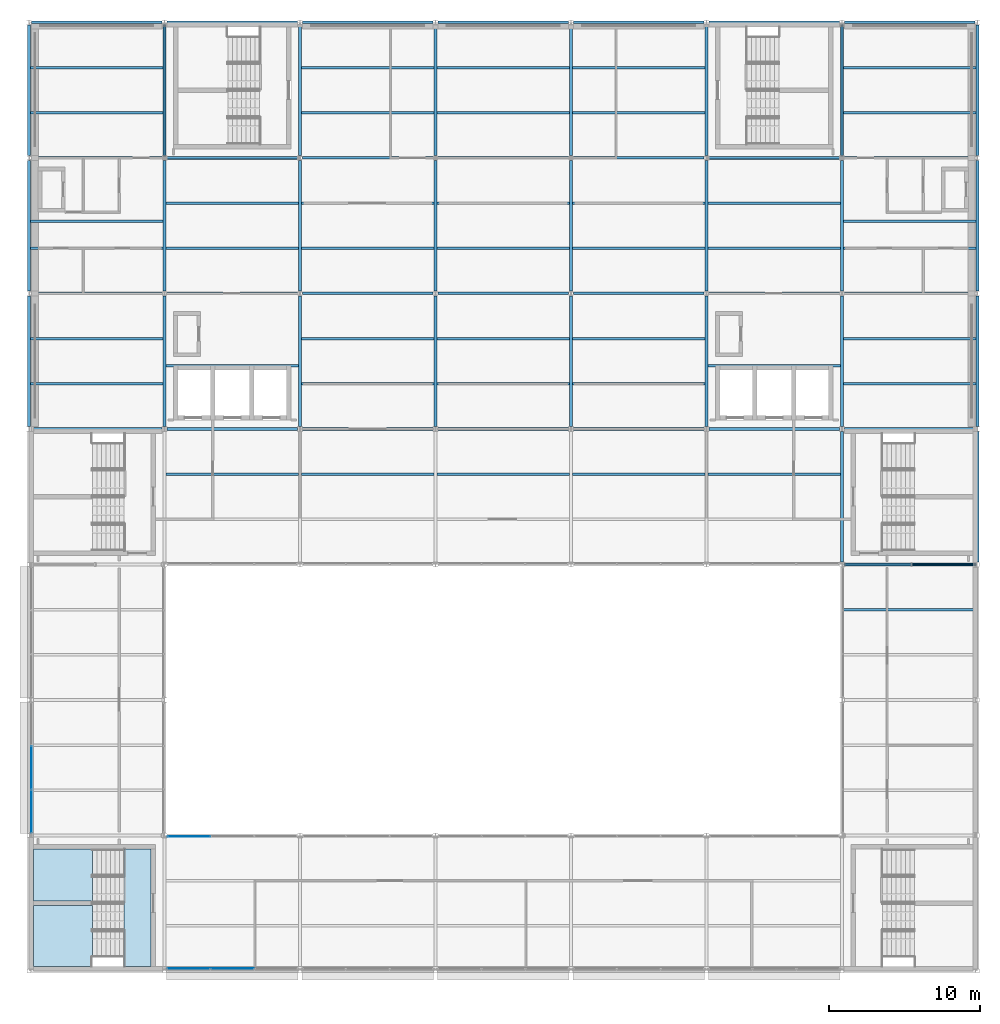
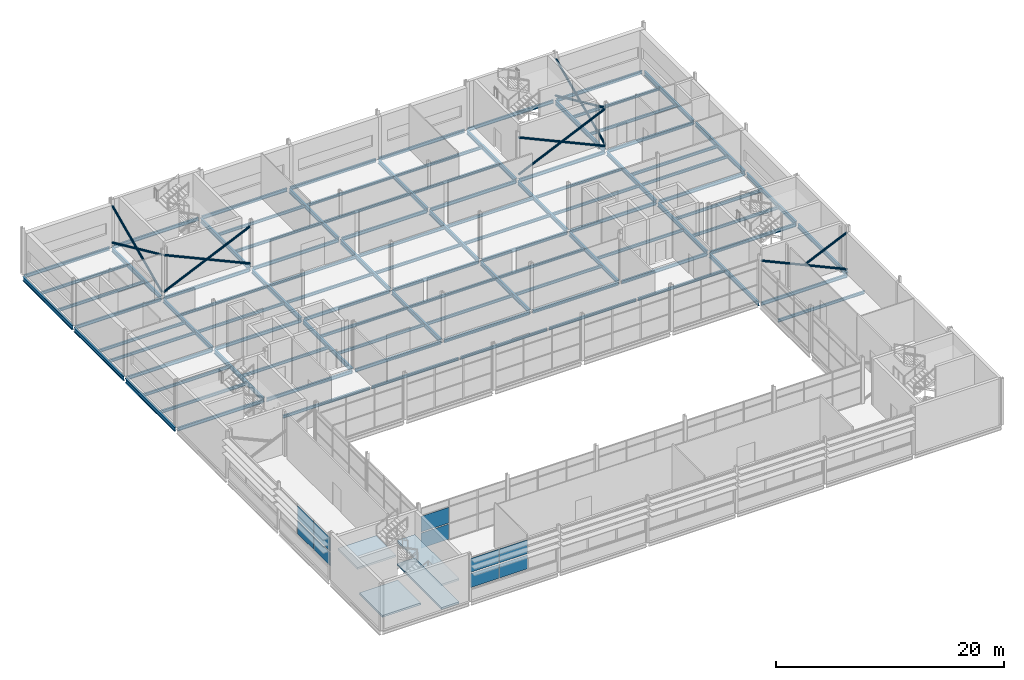
# One storey, part 44 of 61: 97 beams, 10 members, 10 plates, 4 slabs, 4 elements without a shape of their own.
"""IFC4 building model written with IfcOpenShell, lengths in metres."""

from ifc_helpers import new_model, si_unit, direction, frame, origin, origin_2d, place, context, subcontext, project, spatial, polyline, rectangle, hollow_circle, i_section, outline, extrude, material, layer, layer_set, material_profile, profile_set, type_object, element, aggregate, save


model = new_model("IFC4")

# Units and contexts
model_context = context("Model", 3, precision=1e-05, world=origin(), true_north=direction((0.0, 1.0)))
body_context = subcontext(model_context, "Body", "Model", "MODEL_VIEW")
ifc_project = project(units=[si_unit("LENGTHUNIT", "METRE"), si_unit("AREAUNIT", "SQUARE_METRE"), si_unit("VOLUMEUNIT", "CUBIC_METRE"), si_unit("PLANEANGLEUNIT", "RADIAN"), si_unit("MASSUNIT", "GRAM", prefix="KILO")], contexts=[model_context])

# Site, building, storey
site_placement = place(None, origin())
site = spatial("IfcSite", under=ifc_project, at=site_placement, CompositionType="ELEMENT")
building_placement = place(site_placement, origin())
building = spatial("IfcBuilding", under=site, at=building_placement, Name="Shorebreak Coast Museum", CompositionType="ELEMENT")
storey_placement = place(building_placement, frame((0.0, 0.0, 26.0)))
storey = spatial("IfcBuildingStorey", under=building, at=storey_placement, Name="L04", CompositionType="ELEMENT", Elevation=26.0)

# Beams
ifc_material_1 = material(Name="Steel Grade 300", Category="steel")
ifc_material_profile_1 = material_profile(ifc_material_1, i_section(OverallWidth=0.1708984375, OverallDepth=0.35205078125, WebThickness=0.0068359375, FlangeThickness=0.009765625, FilletRadius=0.011474609375, at=origin_2d()), Name="360UB44.7")
ifc_profile_set_1 = profile_set([ifc_material_profile_1], Name="Steel Grade 300")
beam_type_1 = type_object("IfcBeamType", Name="Floor girder east-west 360UB44.7", PredefinedType="BEAM", material=ifc_profile_set_1)
beam_1_placement = place(storey_placement, frame((108.154541015625, 81.0, -0.35107421875), z_axis=(1.0, 0.0, 0.0), x_axis=(0.0, 1.0, 0.0)))
element("IfcBeam", 1, at=beam_1_placement, inside=storey, type_object=beam_type_1, Name="Floor girder east-west L04 13K", PredefinedType="BEAM", context=body_context, shape_type="SweptSolid", body=[
    extrude(i_section(OverallWidth=0.1708984375, OverallDepth=0.35205078125, WebThickness=0.0068359375, FlangeThickness=0.009765625, FilletRadius=0.011474609375, at=origin_2d()), origin(), (0.0, 0.0, 1.0), 8.69287109375),
])
for number, where, z_axis, x_axis, name in (
    (2, (54.155517578125, 90.0, -0.35107421875), (1.0, 0.0, 0.0), (0.0, 1.0, 0.0), "Floor girder east-west L04 7L"),
    (3, (63.155517578125, 90.0, -0.35107421875), (1.0, 0.0, 0.0), (0.0, 1.0, 0.0), "Floor girder east-west L04 8L"),
    (4, (72.155517578125, 90.0, -0.35107421875), (1.0, 0.0, 0.0), (0.0, 1.0, 0.0), "Floor girder east-west L04 9L"),
    (5, (81.155517578125, 90.0, -0.35107421875), (1.0, 0.0, 0.0), (0.0, 1.0, 0.0), "Floor girder east-west L04 10L"),
    (6, (90.155517578125, 90.0, -0.35107421875), (1.0, 0.0, 0.0), (0.0, 1.0, 0.0), "Floor girder east-west L04 11L"),
    (7, (99.155517578125, 90.0, -0.35107421875), (1.0, 0.0, 0.0), (0.0, 1.0, 0.0), "Floor girder east-west L04 12L"),
    (8, (108.155517578125, 90.0, -0.35107421875), (1.0, 0.0, 0.0), (0.0, 1.0, 0.0), "Floor girder east-west L04 13L"),
):
    element("IfcBeam", number, at=place(storey_placement, frame(where, z_axis=z_axis, x_axis=x_axis)), inside=storey, type_object=beam_type_1, Name=name, PredefinedType="BEAM", context=body_context, shape_type="SweptSolid", body=[
        extrude(i_section(OverallWidth=0.1708984375, OverallDepth=0.35205078125, WebThickness=0.0068359375, FlangeThickness=0.009765625, FilletRadius=0.011474609375, at=origin_2d()), origin(), (0.0, 0.0, 1.0), 8.68896484375),
    ])
for number, where, z_axis, x_axis, name in (
    (9, (54.152587890625, 99.0, -0.35107421875), (1.0, 0.0, 0.0), (0.0, 1.0, 0.0), "Floor girder east-west L04 7M"),
    (10, (63.152587890625, 99.0, -0.35107421875), (1.0, 0.0, 0.0), (0.0, 1.0, 0.0), "Floor girder east-west L04 8M"),
    (11, (72.152587890625, 99.0, -0.35107421875), (1.0, 0.0, 0.0), (0.0, 1.0, 0.0), "Floor girder east-west L04 9M"),
    (12, (81.152587890625, 99.0, -0.35107421875), (1.0, 0.0, 0.0), (0.0, 1.0, 0.0), "Floor girder east-west L04 10M"),
    (13, (90.152587890625, 99.0, -0.35107421875), (1.0, 0.0, 0.0), (0.0, 1.0, 0.0), "Floor girder east-west L04 11M"),
    (14, (99.152587890625, 99.0, -0.35107421875), (1.0, 0.0, 0.0), (0.0, 1.0, 0.0), "Floor girder east-west L04 12M"),
    (15, (108.152587890625, 99.0, -0.35107421875), (1.0, 0.0, 0.0), (0.0, 1.0, 0.0), "Floor girder east-west L04 13M"),
    (16, (54.152587890625, 108.0, -0.35107421875), (1.0, 0.0, 0.0), (0.0, 1.0, 0.0), "Floor girder east-west L04 7N"),
    (17, (63.152587890625, 108.0, -0.35107421875), (1.0, 0.0, 0.0), (0.0, 1.0, 0.0), "Floor girder east-west L04 8N"),
    (18, (72.152587890625, 108.0, -0.35107421875), (1.0, 0.0, 0.0), (0.0, 1.0, 0.0), "Floor girder east-west L04 9N"),
    (19, (81.152587890625, 108.0, -0.35107421875), (1.0, 0.0, 0.0), (0.0, 1.0, 0.0), "Floor girder east-west L04 10N"),
    (20, (90.152587890625, 108.0, -0.35107421875), (1.0, 0.0, 0.0), (0.0, 1.0, 0.0), "Floor girder east-west L04 11N"),
    (21, (99.152587890625, 108.0, -0.35107421875), (1.0, 0.0, 0.0), (0.0, 1.0, 0.0), "Floor girder east-west L04 12N"),
    (22, (108.152587890625, 108.0, -0.35107421875), (1.0, 0.0, 0.0), (0.0, 1.0, 0.0), "Floor girder east-west L04 13N"),
):
    element("IfcBeam", number, at=place(storey_placement, frame(where, z_axis=z_axis, x_axis=x_axis)), inside=storey, type_object=beam_type_1, Name=name, PredefinedType="BEAM", context=body_context, shape_type="SweptSolid", body=[
        extrude(i_section(OverallWidth=0.1708984375, OverallDepth=0.35205078125, WebThickness=0.0068359375, FlangeThickness=0.009765625, FilletRadius=0.011474609375, at=origin_2d()), origin(), (0.0, 0.0, 1.0), 8.69482421875),
    ])
for number, where, z_axis, x_axis, name in (
    (23, (54.155517578125, 117.0, -0.35107421875), (1.0, 0.0, 0.0), (0.0, 1.0, 0.0), "Floor girder east-west L04 7P"),
    (24, (63.155517578125, 117.0, -0.35107421875), (1.0, 0.0, 0.0), (0.0, 1.0, 0.0), "Floor girder east-west L04 8P"),
    (25, (72.155517578125, 117.0, -0.35107421875), (1.0, 0.0, 0.0), (0.0, 1.0, 0.0), "Floor girder east-west L04 9P"),
    (26, (81.155517578125, 117.0, -0.35107421875), (1.0, 0.0, 0.0), (0.0, 1.0, 0.0), "Floor girder east-west L04 10P"),
    (27, (90.155517578125, 117.0, -0.35107421875), (1.0, 0.0, 0.0), (0.0, 1.0, 0.0), "Floor girder east-west L04 11P"),
    (28, (99.155517578125, 117.0, -0.35107421875), (1.0, 0.0, 0.0), (0.0, 1.0, 0.0), "Floor girder east-west L04 12P"),
    (29, (108.155517578125, 117.0, -0.35107421875), (1.0, 0.0, 0.0), (0.0, 1.0, 0.0), "Floor girder east-west L04 13P"),
):
    element("IfcBeam", number, at=place(storey_placement, frame(where, z_axis=z_axis, x_axis=x_axis)), inside=storey, type_object=beam_type_1, Name=name, PredefinedType="BEAM", context=body_context, shape_type="SweptSolid", body=[
        extrude(i_section(OverallWidth=0.1708984375, OverallDepth=0.35205078125, WebThickness=0.0068359375, FlangeThickness=0.009765625, FilletRadius=0.011474609375, at=origin_2d()), origin(), (0.0, 0.0, 1.0), 8.68896484375),
    ])
ifc_material_2 = material(Name="Steel Grade 300", Category="steel")
ifc_material_profile_2 = material_profile(ifc_material_2, i_section(OverallWidth=0.18994140625, OverallDepth=0.453857421875, WebThickness=0.008544921875, FlangeThickness=0.0126953125, FilletRadius=0.011474609375, at=origin_2d()), Name="460UB67.1")
ifc_profile_set_2 = profile_set([ifc_material_profile_2], Name="Steel Grade 300")
beam_type_2 = type_object("IfcBeamType", Name="Floor girder north-south 460UB67.1", PredefinedType="BEAM", material=ifc_profile_set_2)
beam_2_placement = place(storey_placement, frame((108.0, 81.160400390625, -0.40185546875), z_axis=(0.0, 1.0, 0.0), x_axis=(-1.0, 0.0, 0.0)))
element("IfcBeam", 30, at=beam_2_placement, inside=storey, type_object=beam_type_2, Name="Floor girder north-south L04 13K", PredefinedType="BEAM", context=body_context, shape_type="SweptSolid", body=[
    extrude(i_section(OverallWidth=0.18994140625, OverallDepth=0.453857421875, WebThickness=0.008544921875, FlangeThickness=0.0126953125, FilletRadius=0.011474609375, at=origin_2d()), origin(), (0.0, 0.0, 1.0), 8.676025390625),
])
for number, where, z_axis, x_axis, name in (
    (31, (117.0, 81.154052734375, -0.40185546875), (0.0, 1.0, 0.0), (-1.0, 0.0, 0.0), "Floor girder north-south L04 14K"),
    (32, (54.0, 90.16357421875, -0.40185546875), (0.0, 1.0, 0.0), (-1.0, 0.0, 0.0), "Floor girder north-south L04 7L"),
    (33, (63.0, 90.16357421875, -0.40185546875), (0.0, 1.0, 0.0), (-1.0, 0.0, 0.0), "Floor girder north-south L04 8L"),
    (34, (72.0, 90.16357421875, -0.40185546875), (0.0, 1.0, 0.0), (-1.0, 0.0, 0.0), "Floor girder north-south L04 9L"),
    (35, (81.0, 90.16357421875, -0.40185546875), (0.0, 1.0, 0.0), (-1.0, 0.0, 0.0), "Floor girder north-south L04 10L"),
    (36, (90.0, 90.16357421875, -0.40185546875), (0.0, 1.0, 0.0), (-1.0, 0.0, 0.0), "Floor girder north-south L04 11L"),
    (37, (99.0, 90.16357421875, -0.40185546875), (0.0, 1.0, 0.0), (-1.0, 0.0, 0.0), "Floor girder north-south L04 12L"),
    (38, (108.0, 90.16357421875, -0.40185546875), (0.0, 1.0, 0.0), (-1.0, 0.0, 0.0), "Floor girder north-south L04 13L"),
    (39, (117.0, 90.16357421875, -0.40185546875), (0.0, 1.0, 0.0), (-1.0, 0.0, 0.0), "Floor girder north-south L04 14L"),
):
    element("IfcBeam", number, at=place(storey_placement, frame(where, z_axis=z_axis, x_axis=x_axis)), inside=storey, type_object=beam_type_2, Name=name, PredefinedType="BEAM", context=body_context, shape_type="SweptSolid", body=[
        extrude(i_section(OverallWidth=0.18994140625, OverallDepth=0.453857421875, WebThickness=0.008544921875, FlangeThickness=0.0126953125, FilletRadius=0.011474609375, at=origin_2d()), origin(), (0.0, 0.0, 1.0), 8.682373046875),
    ])
for number, where, z_axis, x_axis, name in (
    (40, (54.0, 99.154052734375, -0.40185546875), (0.0, 1.0, 0.0), (-1.0, 0.0, 0.0), "Floor girder north-south L04 7M"),
    (41, (63.0, 99.154052734375, -0.40185546875), (0.0, 1.0, 0.0), (-1.0, 0.0, 0.0), "Floor girder north-south L04 8M"),
    (42, (72.0, 99.154052734375, -0.40185546875), (0.0, 1.0, 0.0), (-1.0, 0.0, 0.0), "Floor girder north-south L04 9M"),
    (43, (81.0, 99.154052734375, -0.40185546875), (0.0, 1.0, 0.0), (-1.0, 0.0, 0.0), "Floor girder north-south L04 10M"),
    (44, (90.0, 99.154052734375, -0.40185546875), (0.0, 1.0, 0.0), (-1.0, 0.0, 0.0), "Floor girder north-south L04 11M"),
    (45, (99.0, 99.154052734375, -0.40185546875), (0.0, 1.0, 0.0), (-1.0, 0.0, 0.0), "Floor girder north-south L04 12M"),
    (46, (108.0, 99.154052734375, -0.40185546875), (0.0, 1.0, 0.0), (-1.0, 0.0, 0.0), "Floor girder north-south L04 13M"),
    (47, (117.0, 99.154052734375, -0.40185546875), (0.0, 1.0, 0.0), (-1.0, 0.0, 0.0), "Floor girder north-south L04 14M"),
):
    element("IfcBeam", number, at=place(storey_placement, frame(where, z_axis=z_axis, x_axis=x_axis)), inside=storey, type_object=beam_type_2, Name=name, PredefinedType="BEAM", context=body_context, shape_type="SweptSolid", body=[
        extrude(i_section(OverallWidth=0.18994140625, OverallDepth=0.453857421875, WebThickness=0.008544921875, FlangeThickness=0.0126953125, FilletRadius=0.011474609375, at=origin_2d()), origin(), (0.0, 0.0, 1.0), 8.69189453125),
    ])
for number, where, z_axis, x_axis, name in (
    (48, (54.0, 108.154052734375, -0.40185546875), (0.0, 1.0, 0.0), (-1.0, 0.0, 0.0), "Floor girder north-south L04 7N"),
    (49, (63.0, 108.154052734375, -0.40185546875), (0.0, 1.0, 0.0), (-1.0, 0.0, 0.0), "Floor girder north-south L04 8N"),
    (50, (72.0, 108.154052734375, -0.40185546875), (0.0, 1.0, 0.0), (-1.0, 0.0, 0.0), "Floor girder north-south L04 9N"),
    (51, (81.0, 108.154052734375, -0.40185546875), (0.0, 1.0, 0.0), (-1.0, 0.0, 0.0), "Floor girder north-south L04 10N"),
    (52, (90.0, 108.154052734375, -0.40185546875), (0.0, 1.0, 0.0), (-1.0, 0.0, 0.0), "Floor girder north-south L04 11N"),
    (53, (99.0, 108.154052734375, -0.40185546875), (0.0, 1.0, 0.0), (-1.0, 0.0, 0.0), "Floor girder north-south L04 12N"),
    (54, (108.0, 108.154052734375, -0.40185546875), (0.0, 1.0, 0.0), (-1.0, 0.0, 0.0), "Floor girder north-south L04 13N"),
    (55, (117.0, 108.154052734375, -0.40185546875), (0.0, 1.0, 0.0), (-1.0, 0.0, 0.0), "Floor girder north-south L04 14N"),
):
    element("IfcBeam", number, at=place(storey_placement, frame(where, z_axis=z_axis, x_axis=x_axis)), inside=storey, type_object=beam_type_2, Name=name, PredefinedType="BEAM", context=body_context, shape_type="SweptSolid", body=[
        extrude(i_section(OverallWidth=0.18994140625, OverallDepth=0.453857421875, WebThickness=0.008544921875, FlangeThickness=0.0126953125, FilletRadius=0.011474609375, at=origin_2d()), origin(), (0.0, 0.0, 1.0), 8.682373046875),
    ])
ifc_material_3 = material(Name="Steel Grade 300", Category="steel")
ifc_material_profile_3 = material_profile(ifc_material_3, i_section(OverallWidth=0.1650390625, OverallDepth=0.303955078125, WebThickness=0.006103515625, FlangeThickness=0.01025390625, FilletRadius=0.011474609375, at=origin_2d()), Name="310UB40.4")
ifc_profile_set_3 = profile_set([ifc_material_profile_3], Name="Steel Grade 300")
beam_type_3 = type_object("IfcBeamType", Name="Floor joist 310UB40.4", PredefinedType="JOIST", material=ifc_profile_set_3)
beam_3_placement = place(storey_placement, frame((108.1044921875, 78.0, -0.326904296875), z_axis=(1.0, 0.0, 0.0), x_axis=(0.0, 1.0, 0.0)))
element("IfcBeam", 56, at=beam_3_placement, inside=storey, type_object=beam_type_3, Name="Floor joist L04 bay 13J at 6000 mm", PredefinedType="JOIST", context=body_context, shape_type="SweptSolid", body=[
    extrude(i_section(OverallWidth=0.1650390625, OverallDepth=0.303955078125, WebThickness=0.006103515625, FlangeThickness=0.01025390625, FilletRadius=0.011474609375, at=origin_2d()), origin(), (0.0, 0.0, 1.0), 8.800537109375),
])
for number, where, z_axis, x_axis, name in (
    (57, (63.094970703125, 87.0, -0.326904296875), (1.0, 0.0, 0.0), (0.0, 1.0, 0.0), "Floor joist L04 bay 8K at 6000 mm"),
    (58, (72.094970703125, 87.0, -0.326904296875), (1.0, 0.0, 0.0), (0.0, 1.0, 0.0), "Floor joist L04 bay 9K at 6000 mm"),
    (59, (81.094970703125, 87.0, -0.326904296875), (1.0, 0.0, 0.0), (0.0, 1.0, 0.0), "Floor joist L04 bay 10K at 6000 mm"),
    (60, (90.094970703125, 87.0, -0.326904296875), (1.0, 0.0, 0.0), (0.0, 1.0, 0.0), "Floor joist L04 bay 11K at 6000 mm"),
    (61, (99.094970703125, 87.0, -0.326904296875), (1.0, 0.0, 0.0), (0.0, 1.0, 0.0), "Floor joist L04 bay 12K at 6000 mm"),
    (62, (54.094970703125, 93.0, -0.326904296875), (1.0, 0.0, 0.0), (0.0, 1.0, 0.0), "Floor joist L04 bay 7L at 3000 mm"),
    (63, (54.094970703125, 96.0, -0.326904296875), (1.0, 0.0, 0.0), (0.0, 1.0, 0.0), "Floor joist L04 bay 7L at 6000 mm"),
    (64, (63.094970703125, 94.199951171875, -0.326904296875), (1.0, 0.0, 0.0), (0.0, 1.0, 0.0), "Floor joist L04 bay 8L at 4200 mm"),
    (65, (72.094970703125, 93.0, -0.326904296875), (1.0, 0.0, 0.0), (0.0, 1.0, 0.0), "Floor joist L04 bay 9L at 3000 mm"),
    (66, (72.094970703125, 96.0, -0.326904296875), (1.0, 0.0, 0.0), (0.0, 1.0, 0.0), "Floor joist L04 bay 9L at 6000 mm"),
    (67, (81.094970703125, 93.0, -0.326904296875), (1.0, 0.0, 0.0), (0.0, 1.0, 0.0), "Floor joist L04 bay 10L at 3000 mm"),
    (68, (81.094970703125, 96.0, -0.326904296875), (1.0, 0.0, 0.0), (0.0, 1.0, 0.0), "Floor joist L04 bay 10L at 6000 mm"),
    (69, (90.094970703125, 93.0, -0.326904296875), (1.0, 0.0, 0.0), (0.0, 1.0, 0.0), "Floor joist L04 bay 11L at 3000 mm"),
    (70, (90.094970703125, 96.0, -0.326904296875), (1.0, 0.0, 0.0), (0.0, 1.0, 0.0), "Floor joist L04 bay 11L at 6000 mm"),
    (71, (99.094970703125, 94.199951171875, -0.326904296875), (1.0, 0.0, 0.0), (0.0, 1.0, 0.0), "Floor joist L04 bay 12L at 4200 mm"),
    (72, (108.094970703125, 93.0, -0.326904296875), (1.0, 0.0, 0.0), (0.0, 1.0, 0.0), "Floor joist L04 bay 13L at 3000 mm"),
    (73, (108.094970703125, 96.0, -0.326904296875), (1.0, 0.0, 0.0), (0.0, 1.0, 0.0), "Floor joist L04 bay 13L at 6000 mm"),
    (74, (54.094970703125, 102.0, -0.326904296875), (1.0, 0.0, 0.0), (0.0, 1.0, 0.0), "Floor joist L04 bay 7M at 3000 mm"),
    (75, (54.094970703125, 103.800048828125, -0.326904296875), (1.0, 0.0, 0.0), (0.0, 1.0, 0.0), "Floor joist L04 bay 7M at 4800 mm"),
    (76, (63.094970703125, 102.0, -0.326904296875), (1.0, 0.0, 0.0), (0.0, 1.0, 0.0), "Floor joist L04 bay 8M at 3000 mm"),
    (77, (63.094970703125, 105.0, -0.326904296875), (1.0, 0.0, 0.0), (0.0, 1.0, 0.0), "Floor joist L04 bay 8M at 6000 mm"),
    (78, (72.094970703125, 102.0, -0.326904296875), (1.0, 0.0, 0.0), (0.0, 1.0, 0.0), "Floor joist L04 bay 9M at 3000 mm"),
    (79, (72.094970703125, 105.0, -0.326904296875), (1.0, 0.0, 0.0), (0.0, 1.0, 0.0), "Floor joist L04 bay 9M at 6000 mm"),
    (80, (81.094970703125, 102.0, -0.326904296875), (1.0, 0.0, 0.0), (0.0, 1.0, 0.0), "Floor joist L04 bay 10M at 3000 mm"),
    (81, (81.094970703125, 105.0, -0.326904296875), (1.0, 0.0, 0.0), (0.0, 1.0, 0.0), "Floor joist L04 bay 10M at 6000 mm"),
    (82, (90.094970703125, 102.0, -0.326904296875), (1.0, 0.0, 0.0), (0.0, 1.0, 0.0), "Floor joist L04 bay 11M at 3000 mm"),
    (83, (90.094970703125, 105.0, -0.326904296875), (1.0, 0.0, 0.0), (0.0, 1.0, 0.0), "Floor joist L04 bay 11M at 6000 mm"),
    (84, (99.094970703125, 102.0, -0.326904296875), (1.0, 0.0, 0.0), (0.0, 1.0, 0.0), "Floor joist L04 bay 12M at 3000 mm"),
    (85, (99.094970703125, 105.0, -0.326904296875), (1.0, 0.0, 0.0), (0.0, 1.0, 0.0), "Floor joist L04 bay 12M at 6000 mm"),
    (86, (108.094970703125, 102.0, -0.326904296875), (1.0, 0.0, 0.0), (0.0, 1.0, 0.0), "Floor joist L04 bay 13M at 3000 mm"),
    (87, (108.094970703125, 103.800048828125, -0.326904296875), (1.0, 0.0, 0.0), (0.0, 1.0, 0.0), "Floor joist L04 bay 13M at 4800 mm"),
    (88, (54.094970703125, 111.0, -0.326904296875), (1.0, 0.0, 0.0), (0.0, 1.0, 0.0), "Floor joist L04 bay 7N at 3000 mm"),
    (89, (54.094970703125, 114.0, -0.326904296875), (1.0, 0.0, 0.0), (0.0, 1.0, 0.0), "Floor joist L04 bay 7N at 6000 mm"),
    (90, (72.094970703125, 111.0, -0.326904296875), (1.0, 0.0, 0.0), (0.0, 1.0, 0.0), "Floor joist L04 bay 9N at 3000 mm"),
    (91, (72.094970703125, 114.0, -0.326904296875), (1.0, 0.0, 0.0), (0.0, 1.0, 0.0), "Floor joist L04 bay 9N at 6000 mm"),
    (92, (81.094970703125, 111.0, -0.326904296875), (1.0, 0.0, 0.0), (0.0, 1.0, 0.0), "Floor joist L04 bay 10N at 3000 mm"),
    (93, (81.094970703125, 114.0, -0.326904296875), (1.0, 0.0, 0.0), (0.0, 1.0, 0.0), "Floor joist L04 bay 10N at 6000 mm"),
    (94, (90.094970703125, 111.0, -0.326904296875), (1.0, 0.0, 0.0), (0.0, 1.0, 0.0), "Floor joist L04 bay 11N at 3000 mm"),
    (95, (90.094970703125, 114.0, -0.326904296875), (1.0, 0.0, 0.0), (0.0, 1.0, 0.0), "Floor joist L04 bay 11N at 6000 mm"),
    (96, (108.094970703125, 111.0, -0.326904296875), (1.0, 0.0, 0.0), (0.0, 1.0, 0.0), "Floor joist L04 bay 13N at 3000 mm"),
    (97, (108.094970703125, 114.0, -0.326904296875), (1.0, 0.0, 0.0), (0.0, 1.0, 0.0), "Floor joist L04 bay 13N at 6000 mm"),
):
    element("IfcBeam", number, at=place(storey_placement, frame(where, z_axis=z_axis, x_axis=x_axis)), inside=storey, type_object=beam_type_3, Name=name, PredefinedType="JOIST", context=body_context, shape_type="SweptSolid", body=[
        extrude(i_section(OverallWidth=0.1650390625, OverallDepth=0.303955078125, WebThickness=0.006103515625, FlangeThickness=0.01025390625, FilletRadius=0.011474609375, at=origin_2d()), origin(), (0.0, 0.0, 1.0), 8.81005859375),
    ])

# Members
ifc_material_4 = material(Name="Steel Grade C350L0", Category="steel")
ifc_material_profile_4 = material_profile(ifc_material_4, hollow_circle(Radius=0.109619140625, WallThickness=0.00830078125, at=origin_2d()), Name="219.1x8.2 CHS")
ifc_profile_set_4 = profile_set([ifc_material_profile_4], Name="Steel Grade C350L0")
member_type = type_object("IfcMemberType", Name="X-brace 219.1x8.2 CHS", PredefinedType="BRACE", material=ifc_profile_set_4)
member_1_placement = place(storey_placement, frame((112.622314453125, 81.0, 2.336669921875), z_axis=(0.909947385732, 0.0, 0.414723709474), x_axis=(0.0, 1.0, 0.0)))
element("IfcMember", 98, at=member_1_placement, inside=storey, type_object=member_type, Name="X-brace bay 04 L04 diagonal 1", PredefinedType="BRACE", context=body_context, shape_type="SweptSolid", body=[
    extrude(hollow_circle(Radius=0.109619140625, WallThickness=0.00830078125, at=origin_2d()), origin(), (0.0, 0.0, 1.0), 4.673583984375),
])
member_2_placement = place(storey_placement, frame((116.875, 81.0, 0.300048828125), z_axis=(-0.909950784, 0.0, 0.414716253235), x_axis=(0.0, -1.0, 0.0)))
element("IfcMember", 99, at=member_2_placement, inside=storey, type_object=member_type, Name="X-brace bay 04 L04 diagonal 2", PredefinedType="BRACE", context=body_context, shape_type="SweptSolid", body=[
    extrude(hollow_circle(Radius=0.109619140625, WallThickness=0.00830078125, at=origin_2d()), origin(), (0.0, 0.0, 1.0), 9.58447265625),
])
for number, where, z_axis, x_axis, name in (
    (100, (63.1279296875, 108.0, 0.300048828125), (0.910356902094, 0.0, 0.413824009465), (0.0, 1.0, 0.0), "X-brace bay 09 L04 diagonal 1"),
    (101, (71.8720703125, 108.0, 0.300048828125), (-0.910356902094, 0.0, 0.413824009465), (0.0, -1.0, 0.0), "X-brace bay 09 L04 diagonal 2"),
):
    element("IfcMember", number, at=place(storey_placement, frame(where, z_axis=z_axis, x_axis=x_axis)), inside=storey, type_object=member_type, Name=name, PredefinedType="BRACE", context=body_context, shape_type="SweptSolid", body=[
        extrude(hollow_circle(Radius=0.109619140625, WallThickness=0.00830078125, at=origin_2d()), origin(), (0.0, 0.0, 1.0), 9.605224609375),
    ])
for number, where, z_axis, x_axis, name in (
    (102, (63.0, 108.1298828125, 0.300048828125), (0.0, 0.909682975925, 0.415303362992), (-1.0, 0.0, 0.0), "X-brace bay 10 L04 diagonal 1"),
    (103, (63.0, 116.83642578125, 0.300048828125), (0.0, -0.909682975925, 0.415303362992), (1.0, 0.0, 0.0), "X-brace bay 10 L04 diagonal 2"),
):
    element("IfcMember", number, at=place(storey_placement, frame(where, z_axis=z_axis, x_axis=x_axis)), inside=storey, type_object=member_type, Name=name, PredefinedType="BRACE", context=body_context, shape_type="SweptSolid", body=[
        extrude(hollow_circle(Radius=0.109619140625, WallThickness=0.00830078125, at=origin_2d()), origin(), (0.0, 0.0, 1.0), 9.571044921875),
    ])
for number, where, z_axis, x_axis, name in (
    (104, (99.1279296875, 108.0, 0.300048828125), (0.910356902094, 0.0, 0.413824009465), (0.0, 1.0, 0.0), "X-brace bay 11 L04 diagonal 1"),
    (105, (107.8720703125, 108.0, 0.300048828125), (-0.910356902094, 0.0, 0.413824009465), (0.0, -1.0, 0.0), "X-brace bay 11 L04 diagonal 2"),
):
    element("IfcMember", number, at=place(storey_placement, frame(where, z_axis=z_axis, x_axis=x_axis)), inside=storey, type_object=member_type, Name=name, PredefinedType="BRACE", context=body_context, shape_type="SweptSolid", body=[
        extrude(hollow_circle(Radius=0.109619140625, WallThickness=0.00830078125, at=origin_2d()), origin(), (0.0, 0.0, 1.0), 9.605224609375),
    ])
for number, where, z_axis, x_axis, name in (
    (106, (108.0, 108.1298828125, 0.300048828125), (0.0, 0.909682975925, 0.415303362992), (-1.0, 0.0, 0.0), "X-brace bay 12 L04 diagonal 1"),
    (107, (108.0, 116.83642578125, 0.300048828125), (0.0, -0.909682975925, 0.415303362992), (1.0, 0.0, 0.0), "X-brace bay 12 L04 diagonal 2"),
):
    element("IfcMember", number, at=place(storey_placement, frame(where, z_axis=z_axis, x_axis=x_axis)), inside=storey, type_object=member_type, Name=name, PredefinedType="BRACE", context=body_context, shape_type="SweptSolid", body=[
        extrude(hollow_circle(Radius=0.109619140625, WallThickness=0.00830078125, at=origin_2d()), origin(), (0.0, 0.0, 1.0), 9.571044921875),
    ])

# Curtain wall, plates
ifc_material_5 = material(Name="Aluminium", Category="aluminium")
ifc_layer_1 = layer(ifc_material_5, 0.1201171875)
ifc_layer_set_1 = layer_set([ifc_layer_1], Name="Aluminium")
curtain_wall_type_1 = type_object("IfcCurtainWallType", Name="Atrium fire screen", PredefinedType="NOTDEFINED", material=ifc_layer_set_1)
curtain_wall_1_placement = place(storey_placement, origin())
curtain_wall_1 = element("IfcCurtainWall", 108, at=curtain_wall_1_placement, inside=storey, type_object=curtain_wall_type_1, Name="Atrium screen L04 S 49", PredefinedType="NOTDEFINED")
ifc_material_6 = material(Name="Glass", Category="glass")
ifc_layer_2 = layer(ifc_material_6, 0.034912109375)
ifc_layer_set_2 = layer_set([ifc_layer_2], Name="Glass")
plate_type_1 = type_object("IfcPlateType", Name="Fire-resisting glass panel 35", PredefinedType="CURTAIN_PANEL", material=ifc_layer_set_2)
plate_1_placement = place(storey_placement, frame((64.61474609375, 62.93994140625, 0.119873046875), z_axis=(0.0, 0.0, 1.0), x_axis=(1.0, 0.0, 0.0)))
plate_1 = element("IfcPlate", 109, at=plate_1_placement, type_object=plate_type_1, Name="CW5 panel 1.1", PredefinedType="CURTAIN_PANEL", context=body_context, shape_type="SweptSolid", body=[
    extrude(rectangle(XDim=2.82275390625, YDim=0.034912109375, at=origin_2d()), origin(), (0.0, 0.0, 1.0), 1.6201171875),
])
plate_2_placement = place(storey_placement, frame((64.61474609375, 62.93994140625, 1.85986328125), z_axis=(0.0, 0.0, 1.0), x_axis=(1.0, 0.0, 0.0)))
plate_2 = element("IfcPlate", 110, at=plate_2_placement, type_object=plate_type_1, Name="CW5 panel 1.2", PredefinedType="CURTAIN_PANEL", context=body_context, shape_type="SweptSolid", body=[
    extrude(rectangle(XDim=2.82275390625, YDim=0.034912109375, at=origin_2d()), origin(), (0.0, 0.0, 1.0), 1.679931640625),
])
aggregate(curtain_wall_1, [plate_1, plate_2])

# Stair, slabs
ifc_material_7 = material(Name="Concrete N40 (40 MPa)", Category="concrete")
stair_type = type_object("IfcStairType", Name="Stair run 5 m", PredefinedType="DOUBLE_RETURN_STAIR", material=ifc_material_7)
stair_placement = place(storey_placement, origin())
stair = element("IfcStair", 111, at=stair_placement, inside=storey, type_object=stair_type, Name="Exit stair ST01-L04", PredefinedType="DOUBLE_RETURN_STAIR")
ifc_material_8 = material(Name="Concrete N40 (40 MPa)", Category="concrete")
ifc_layer_3 = layer(ifc_material_8, 0.199951171875)
ifc_layer_set_3 = layer_set([ifc_layer_3], Name="Concrete N40 (40 MPa)")
slab_type = type_object("IfcSlabType", Name="Stair landing 200", PredefinedType="LANDING", material=ifc_layer_set_3)
slab_1_placement = place(storey_placement, frame((0.0, 0.0, -0.199951171875)))
slab_1 = element("IfcSlab", 112, at=slab_1_placement, type_object=slab_type, Name="ST01-L04 landing 1", PredefinedType="LANDING", context=body_context, shape_type="SweptSolid", body=[
    extrude(outline(polyline([(60.300048828125, 54.300048828125), (62.10009765625, 54.300048828125), (62.10009765625, 62.10009765625), (60.300048828125, 62.10009765625), (60.300048828125, 54.300048828125)])), origin(), (0.0, 0.0, 1.0), 0.199951171875),
])
slab_2_placement = place(storey_placement, frame((0.0, 0.0, 2.300048828125)))
slab_2 = element("IfcSlab", 113, at=slab_2_placement, type_object=slab_type, Name="ST01-L04 landing 2", PredefinedType="LANDING", context=body_context, shape_type="SweptSolid", body=[
    extrude(outline(polyline([(60.300048828125, 54.300048828125), (62.10009765625, 54.300048828125), (62.10009765625, 62.10009765625), (60.300048828125, 62.10009765625), (60.300048828125, 54.300048828125)])), origin(), (0.0, 0.0, 1.0), 0.199951171875),
])
slab_3_placement = place(storey_placement, frame((0.0, 0.0, 1.050048828125)))
slab_3 = element("IfcSlab", 114, at=slab_3_placement, type_object=slab_type, Name="ST01-L04 landing 3", PredefinedType="LANDING", context=body_context, shape_type="SweptSolid", body=[
    extrude(outline(polyline([(54.300048828125, 54.300048828125), (58.199951171875, 54.300048828125), (58.199951171875, 58.35009765625), (54.300048828125, 58.35009765625), (54.300048828125, 54.300048828125)])), origin(), (0.0, 0.0, 1.0), 0.199951171875),
])
slab_4_placement = place(storey_placement, frame((0.0, 0.0, 3.550048828125)))
slab_4 = element("IfcSlab", 115, at=slab_4_placement, type_object=slab_type, Name="ST01-L04 landing 4", PredefinedType="LANDING", context=body_context, shape_type="SweptSolid", body=[
    extrude(outline(polyline([(54.300048828125, 58.64990234375), (58.199951171875, 58.64990234375), (58.199951171875, 62.10009765625), (54.300048828125, 62.10009765625), (54.300048828125, 58.64990234375)])), origin(), (0.0, 0.0, 1.0), 0.199951171875),
])
aggregate(stair, [slab_1, slab_2, slab_3, slab_4])

# Curtain wall, plates
ifc_material_9 = material(Name="Aluminium", Category="aluminium")
ifc_layer_4 = layer(ifc_material_9, 0.14990234375)
ifc_layer_set_4 = layer_set([ifc_layer_4], Name="Aluminium")
curtain_wall_type_2 = type_object("IfcCurtainWallType", Name="Storefront curtain wall", PredefinedType="NOTDEFINED", material=ifc_layer_set_4)
curtain_wall_2_placement = place(storey_placement, origin())
curtain_wall_2 = element("IfcCurtainWall", 116, at=curtain_wall_2_placement, inside=storey, type_object=curtain_wall_type_2, Name="Atrium Hall glazing L04 S 4", PredefinedType="NOTDEFINED")
ifc_material_10 = material(Name="Glass", Category="glass")
ifc_layer_5 = layer(ifc_material_10, 0.031982421875)
ifc_layer_set_5 = layer_set([ifc_layer_5], Name="Glass")
plate_type_2 = type_object("IfcPlateType", Name="Storefront glass panel 32", PredefinedType="CURTAIN_PANEL", material=ifc_layer_set_5)
plate_3_placement = place(storey_placement, frame((64.595947265625, 54.14990234375, 1.25), z_axis=(0.0, 0.0, 1.0), x_axis=(1.0, 0.0, 0.0)))
plate_3 = element("IfcPlate", 117, at=plate_3_placement, type_object=plate_type_2, Name="CW5 panel 1.1", PredefinedType="CURTAIN_PANEL", context=body_context, shape_type="SweptSolid", body=[
    extrude(rectangle(XDim=2.841552734375, YDim=0.031982421875, at=origin_2d()), origin(), (0.0, 0.0, 1.0), 1.48388671875),
])
plate_4_placement = place(storey_placement, frame((64.595947265625, 54.14990234375, 2.8837890625), z_axis=(0.0, 0.0, 1.0), x_axis=(1.0, 0.0, 0.0)))
plate_4 = element("IfcPlate", 118, at=plate_4_placement, type_object=plate_type_2, Name="CW5 panel 1.2", PredefinedType="CURTAIN_PANEL", context=body_context, shape_type="SweptSolid", body=[
    extrude(rectangle(XDim=2.841552734375, YDim=0.031982421875, at=origin_2d()), origin(), (0.0, 0.0, 1.0), 1.48388671875),
])
plate_5_placement = place(storey_placement, frame((67.5, 54.14990234375, 1.25), z_axis=(0.0, 0.0, 1.0), x_axis=(1.0, 0.0, 0.0)))
plate_5 = element("IfcPlate", 119, at=plate_5_placement, type_object=plate_type_2, Name="CW5 panel 2.1", PredefinedType="CURTAIN_PANEL", context=body_context, shape_type="SweptSolid", body=[
    extrude(rectangle(XDim=2.86669921875, YDim=0.031982421875, at=origin_2d()), origin(), (0.0, 0.0, 1.0), 1.48388671875),
])
plate_6_placement = place(storey_placement, frame((67.5, 54.14990234375, 2.8837890625), z_axis=(0.0, 0.0, 1.0), x_axis=(1.0, 0.0, 0.0)))
plate_6 = element("IfcPlate", 120, at=plate_6_placement, type_object=plate_type_2, Name="CW5 panel 2.2", PredefinedType="CURTAIN_PANEL", context=body_context, shape_type="SweptSolid", body=[
    extrude(rectangle(XDim=2.86669921875, YDim=0.031982421875, at=origin_2d()), origin(), (0.0, 0.0, 1.0), 1.48388671875),
])
aggregate(curtain_wall_2, [plate_3, plate_4, plate_5, plate_6])

curtain_wall_3_placement = place(storey_placement, origin())
curtain_wall_3 = element("IfcCurtainWall", 121, at=curtain_wall_3_placement, inside=storey, type_object=curtain_wall_type_2, Name="Atrium Hall glazing L04 W 9", PredefinedType="NOTDEFINED")
plate_7_placement = place(storey_placement, frame((54.14990234375, 64.595947265625, 1.25), z_axis=(0.0, 0.0, 1.0), x_axis=(0.0, 1.0, 0.0)))
plate_7 = element("IfcPlate", 122, at=plate_7_placement, type_object=plate_type_2, Name="CW5 panel 1.1", PredefinedType="CURTAIN_PANEL", context=body_context, shape_type="SweptSolid", body=[
    extrude(rectangle(XDim=2.841552734375, YDim=0.031982421875, at=origin_2d()), origin(), (0.0, 0.0, 1.0), 1.434326171875),
])
plate_8_placement = place(storey_placement, frame((54.14990234375, 64.595947265625, 2.83447265625), z_axis=(0.0, 0.0, 1.0), x_axis=(0.0, 1.0, 0.0)))
plate_8 = element("IfcPlate", 123, at=plate_8_placement, type_object=plate_type_2, Name="CW5 panel 1.2", PredefinedType="CURTAIN_PANEL", context=body_context, shape_type="SweptSolid", body=[
    extrude(rectangle(XDim=2.841552734375, YDim=0.031982421875, at=origin_2d()), origin(), (0.0, 0.0, 1.0), 1.434326171875),
])
plate_9_placement = place(storey_placement, frame((54.14990234375, 67.5, 1.25), z_axis=(0.0, 0.0, 1.0), x_axis=(0.0, 1.0, 0.0)))
plate_9 = element("IfcPlate", 124, at=plate_9_placement, type_object=plate_type_2, Name="CW5 panel 2.1", PredefinedType="CURTAIN_PANEL", context=body_context, shape_type="SweptSolid", body=[
    extrude(rectangle(XDim=2.86669921875, YDim=0.031982421875, at=origin_2d()), origin(), (0.0, 0.0, 1.0), 1.434326171875),
])
plate_10_placement = place(storey_placement, frame((54.14990234375, 67.5, 2.83447265625), z_axis=(0.0, 0.0, 1.0), x_axis=(0.0, 1.0, 0.0)))
plate_10 = element("IfcPlate", 125, at=plate_10_placement, type_object=plate_type_2, Name="CW5 panel 2.2", PredefinedType="CURTAIN_PANEL", context=body_context, shape_type="SweptSolid", body=[
    extrude(rectangle(XDim=2.86669921875, YDim=0.031982421875, at=origin_2d()), origin(), (0.0, 0.0, 1.0), 1.434326171875),
])
aggregate(curtain_wall_3, [plate_7, plate_8, plate_9, plate_10])

save(model, "model.ifc")
